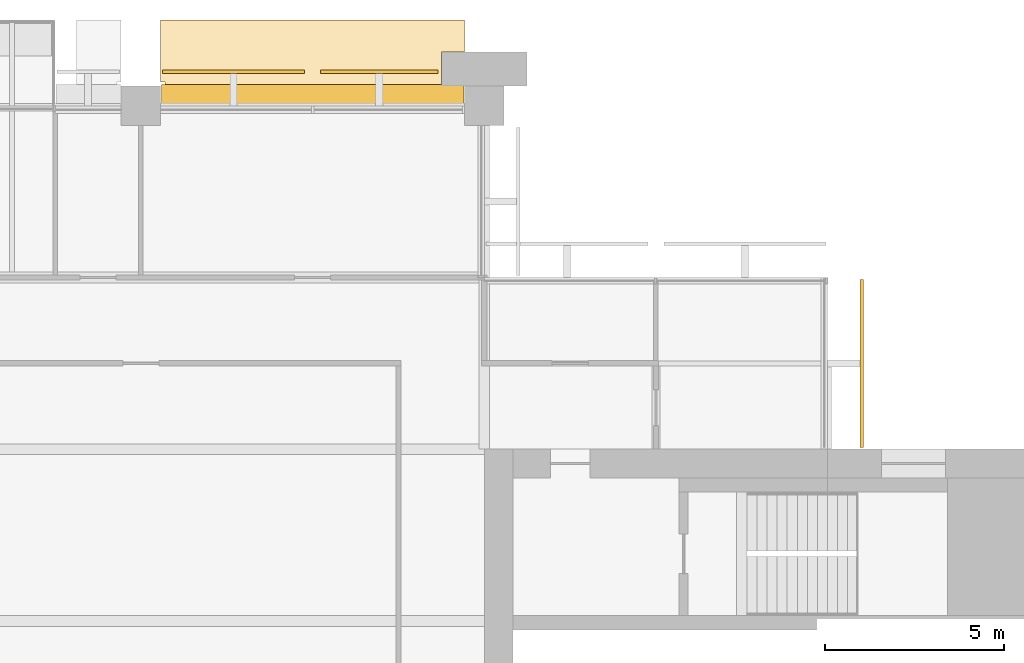
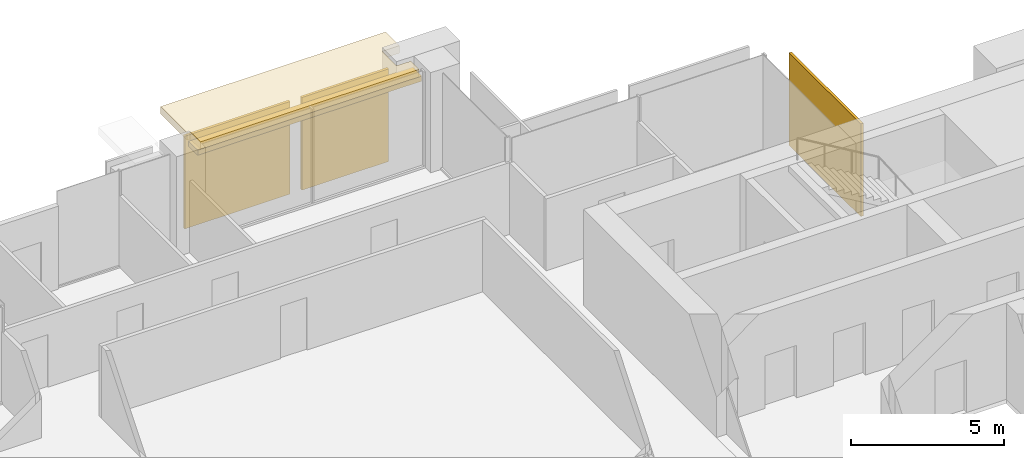
# One storey, part 14 of 14: 4 coverings, 1 shading device.
"""IFC4 building model written with IfcOpenShell, lengths in metres."""

from ifc_helpers import new_model, si_unit, direction, frame, origin, origin_2d, place, context, subcontext, project, spatial, polyline, rectangle, outline, extrude, material, layer, layer_set, type_object, element, save


model = new_model("IFC4")

# Units and contexts
model_context = context("Model", 3, precision=1e-05, world=origin(), true_north=direction((0.0, 1.0)))
body_context = subcontext(model_context, "Body", "Model", "MODEL_VIEW")
ifc_project = project(units=[si_unit("LENGTHUNIT", "METRE"), si_unit("AREAUNIT", "SQUARE_METRE"), si_unit("VOLUMEUNIT", "CUBIC_METRE"), si_unit("PLANEANGLEUNIT", "RADIAN"), si_unit("MASSUNIT", "GRAM", prefix="KILO")], contexts=[model_context])

# Site, building, storey
site_placement = place(None, origin())
site = spatial("IfcSite", under=ifc_project, at=site_placement, CompositionType="ELEMENT")
building_placement = place(site_placement, origin())
building = spatial("IfcBuilding", under=site, at=building_placement, Name="Baori Bourse Tower", CompositionType="ELEMENT")
storey_placement = place(building_placement, frame((0.0, 0.0, 233.199951171875)))
storey = spatial("IfcBuildingStorey", under=building, at=storey_placement, Name="L51", CompositionType="ELEMENT", Elevation=233.199951171875)

# Covering
ifc_material_1 = material(Name="Pale anodised aluminium", Category="aluminium")
covering_type_1 = type_object("IfcCoveringType", Name="BD1 Pale metal band", PredefinedType="CLADDING", material=ifc_material_1)
covering_1_placement = place(storey_placement, frame((0.0, 0.0, 3.5400390625)))
element("IfcCovering", 1, at=covering_1_placement, inside=storey, type_object=covering_type_1, Name="Pale projecting band L51 2", PredefinedType="CLADDING", context=body_context, shape_type="SweptSolid", body=[
    extrude(outline(polyline([(29.469970703125, 48.0), (37.72998046875, 48.0), (37.72998046875, 48.550048828125), (37.199951171875, 48.550048828125), (37.199951171875, 49.5), (37.85009765625, 49.5), (37.85009765625, 50.39990234375), (29.35009765625, 50.39990234375), (29.35009765625, 48.669921875), (29.469970703125, 48.669921875), (29.469970703125, 48.0)])), origin(), (0.0, 0.0, 1.0), 0.300048828125),
])

# Shading device
ifc_material_2 = material(Name="Concrete f'c 40 MPa", Category="concrete")
ifc_layer_1 = layer(ifc_material_2, 0.199951171875)
ifc_layer_set_1 = layer_set([ifc_layer_1], Name="BS1 Brise-soleil ledge")
shading_device_type = type_object("IfcShadingDeviceType", Name="BS1 Brise-soleil ledge", PredefinedType="USERDEFINED", material=ifc_layer_set_1)
shading_device_placement = place(storey_placement, frame((33.60009765625, 48.300048828125, 3.33984375), z_axis=(0.0, 0.0, 1.0), x_axis=(-1.0, 0.0, 0.0)))
element("IfcShadingDevice", 2, at=shading_device_placement, inside=storey, type_object=shading_device_type, Name="Brise-soleil ledge L51 1", ObjectType="BRISE SOLEIL", PredefinedType="USERDEFINED", context=body_context, shape_type="SweptSolid", body=[
    extrude(rectangle(XDim=8.4599609375, YDim=0.60009765625, at=origin_2d()), origin(), (0.0, 0.0, 1.0), 0.199951171875),
])

# Coverings
ifc_material_3 = material(Name="Pale anodised aluminium", Category="aluminium")
ifc_layer_2 = layer(ifc_material_3, 0.10009765625)
ifc_layer_set_2 = layer_set([ifc_layer_2], Name="OS3 Outer skin screen panel")
covering_type_2 = type_object("IfcCoveringType", Name="OS3 Outer skin screen panel", PredefinedType="CLADDING", material=ifc_layer_set_2)
covering_2_placement = place(storey_placement, frame((0.0, 0.0, -0.159912109375)))
element("IfcCovering", 3, at=covering_2_placement, inside=storey, type_object=covering_type_2, Name="Outer skin screen L51 1", PredefinedType="CLADDING", context=body_context, shape_type="SweptSolid", body=[
    extrude(outline(polyline([(48.89990234375, 43.14990234375), (48.89990234375, 38.449951171875), (49.0, 38.449951171875), (49.0, 43.14990234375), (48.89990234375, 43.14990234375)])), origin(), (0.0, 0.0, 1.0), 3.699951171875),
])
covering_3_placement = place(storey_placement, frame((0.0, 0.0, -0.159912109375)))
element("IfcCovering", 4, at=covering_3_placement, inside=storey, type_object=covering_type_2, Name="Outer skin screen L51 5", PredefinedType="CLADDING", context=body_context, shape_type="SweptSolid", body=[
    extrude(outline(polyline([(33.824951171875, 48.89990234375), (37.10009765625, 48.89990234375), (37.10009765625, 49.0), (33.824951171875, 49.0), (33.824951171875, 48.89990234375)])), origin(), (0.0, 0.0, 1.0), 3.699951171875),
])
covering_4_placement = place(storey_placement, frame((0.0, 0.0, -0.159912109375)))
element("IfcCovering", 5, at=covering_4_placement, inside=storey, type_object=covering_type_2, Name="Outer skin screen L51 6", PredefinedType="CLADDING", context=body_context, shape_type="SweptSolid", body=[
    extrude(outline(polyline([(29.39990234375, 48.89990234375), (33.375, 48.89990234375), (33.375, 49.0), (29.39990234375, 49.0), (29.39990234375, 48.89990234375)])), origin(), (0.0, 0.0, 1.0), 3.699951171875),
])

save(model, "model.ifc")
